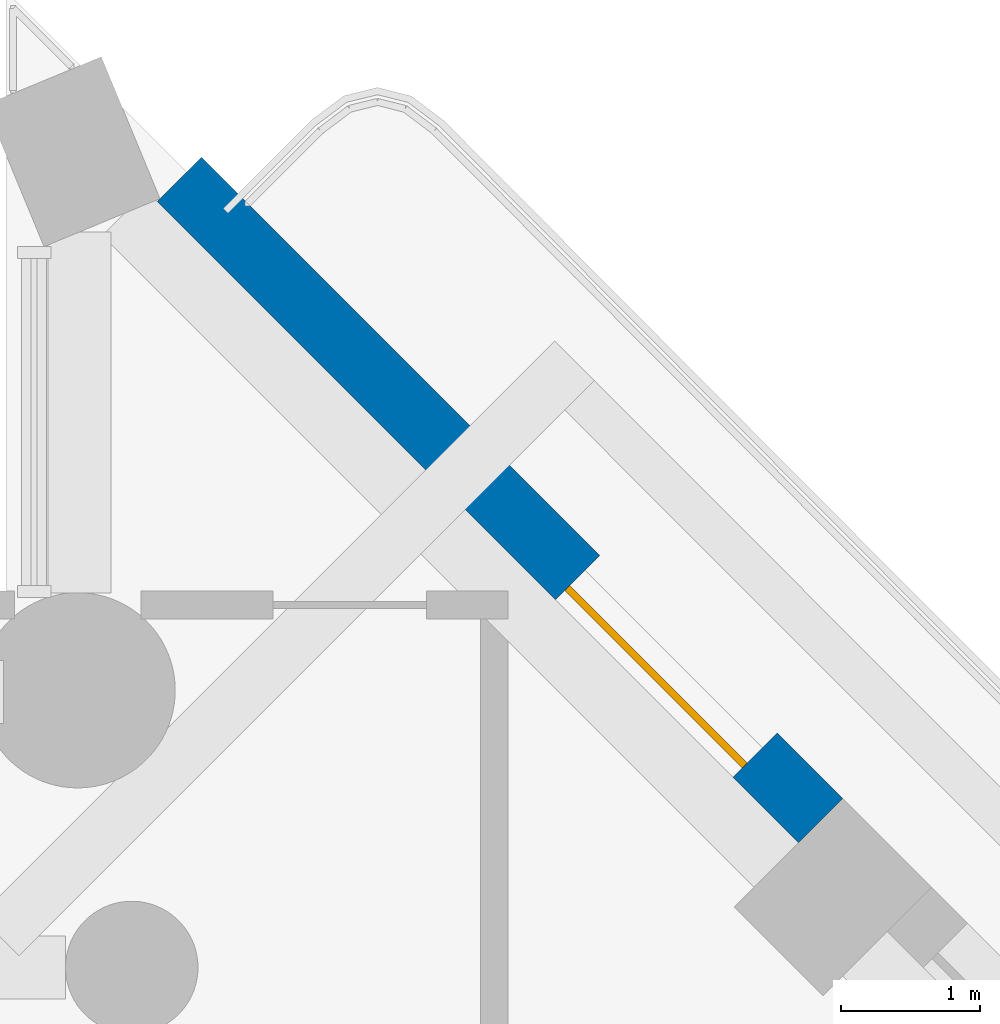
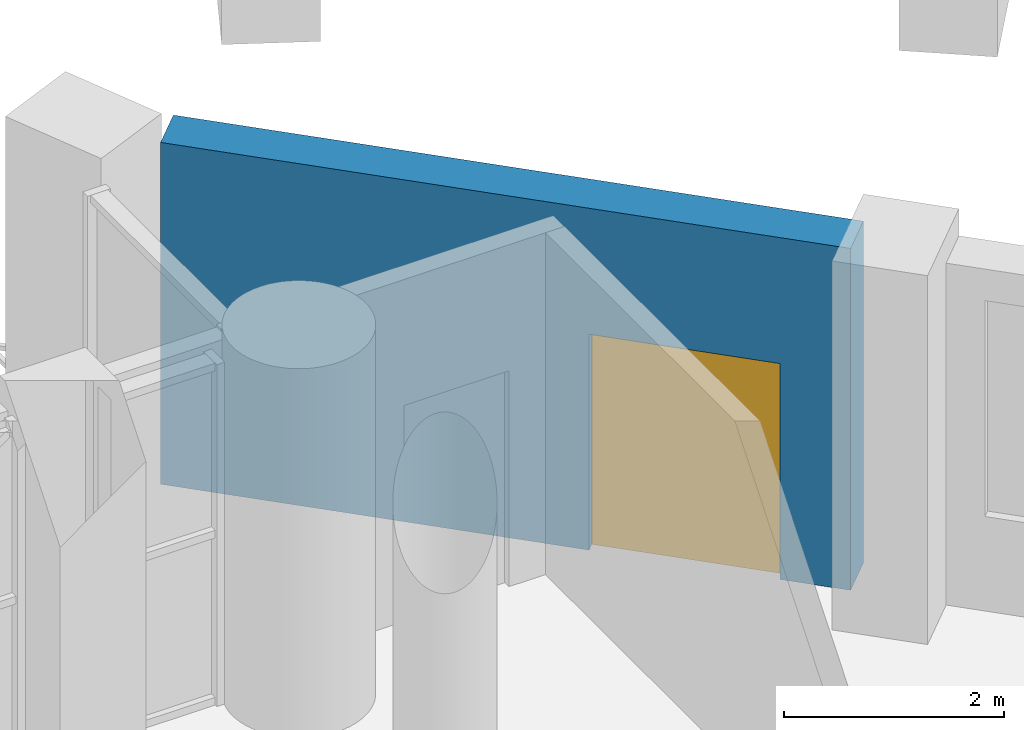
# One storey, part 7 of 14: 1 door, 1 wall, 1 opening.
"""IFC4 building model written with IfcOpenShell, lengths in metres."""

from ifc_helpers import new_model, si_unit, direction, frame, frame_2d, origin, place, context, subcontext, project, spatial, rectangle, extrude, material, layer, layer_set, type_object, element, fill, save


model = new_model("IFC4")

# Units and contexts
model_context = context("Model", 3, precision=1e-05, world=origin(), true_north=direction((0.0, 1.0)))
body_context = subcontext(model_context, "Body", "Model", "MODEL_VIEW")
ifc_project = project(units=[si_unit("LENGTHUNIT", "METRE"), si_unit("AREAUNIT", "SQUARE_METRE"), si_unit("VOLUMEUNIT", "CUBIC_METRE"), si_unit("PLANEANGLEUNIT", "RADIAN"), si_unit("MASSUNIT", "GRAM", prefix="KILO")], contexts=[model_context])

# Site, building, storey
site_placement = place(None, origin())
site = spatial("IfcSite", under=ifc_project, at=site_placement, CompositionType="ELEMENT")
building_placement = place(site_placement, origin())
building = spatial("IfcBuilding", under=site, at=building_placement, Name="Cypress Arch Tower", CompositionType="ELEMENT")
storey_placement = place(building_placement, frame((0.0, 0.0, 201.5)))
storey = spatial("IfcBuildingStorey", under=building, at=storey_placement, Name="L44", CompositionType="ELEMENT", Elevation=201.5)

# Wall, opening, door
ifc_material_1 = material(Name="Brick (red buff blend)", Category="masonry")
ifc_layer = layer(ifc_material_1, 0.449951171875)
ifc_layer_set = layer_set([ifc_layer], Name="Brick pier and spandrel wall BW450")
wall_type = type_object("IfcWallType", Name="Brick pier and spandrel wall BW450", PredefinedType="SOLIDWALL", material=ifc_layer_set)
wall_placement = place(storey_placement, frame((13.94091796875, 11.052978515625, 0.0), z_axis=(0.0, 0.0, 1.0), x_axis=(-0.707106781187, 0.707106781187, 0.0)))
wall = element("IfcWall", 1, at=wall_placement, inside=storey, type_object=wall_type, Name="Brick wall L44 B05.1", PredefinedType="SOLIDWALL", context=body_context, shape_type="SweptSolid", body=[
    extrude(rectangle(XDim=6.505126953125, YDim=0.449951171875, at=frame_2d((3.25244140625, 0.0))), origin(), (0.0, 0.0, 1.0), 3.800048828125),
])
opening_placement = place(wall_placement, frame((0.665283203125, 0.0, 0.0)))
opening = element("IfcOpeningElement", 2, at=opening_placement, cuts=wall, Name="Opening D-L44-B05.1.1", PredefinedType="OPENING", context=body_context, shape_type="SweptSolid", body=[
    extrude(rectangle(XDim=1.800048828125, YDim=2.39990234375, at=frame_2d((0.89990234375, 1.199951171875))), frame((0.0, 0.23486328125, 0.0), z_axis=(0.0, -1.0, 0.0), x_axis=(1.0, 0.0, 0.0)), (0.0, 0.0, 1.0), 0.469970703125),
])
ifc_material_2 = material(Name="Anodised aluminium, bronze finish, laminated low-emissivity double glazing, large-missile impact rated", Category="aluminium")
door_type = type_object("IfcDoorType", Name="Balcony sliding door 1800x2400", OperationType="SLIDING_TO_LEFT", PredefinedType="DOOR", material=ifc_material_2)
door_placement = place(opening_placement, origin())
door = element("IfcDoor", 3, at=door_placement, inside=storey, type_object=door_type, Name="Balcony door L44 B05.1.1", OperationType="SLIDING_TO_LEFT", OverallHeight=2.39990234375, OverallWidth=1.800048828125, PredefinedType="DOOR", context=body_context, shape_type="SweptSolid", body=[
    extrude(rectangle(XDim=1.800048828125, YDim=2.39990234375, at=frame_2d((0.89990234375, 1.199951171875))), frame((0.0, 0.1298828125, 0.0), z_axis=(0.0, -1.0, 0.0), x_axis=(1.0, 0.0, 0.0)), (0.0, 0.0, 1.0), 0.050048828125),
])
fill(opening, door)

save(model, "model.ifc")
